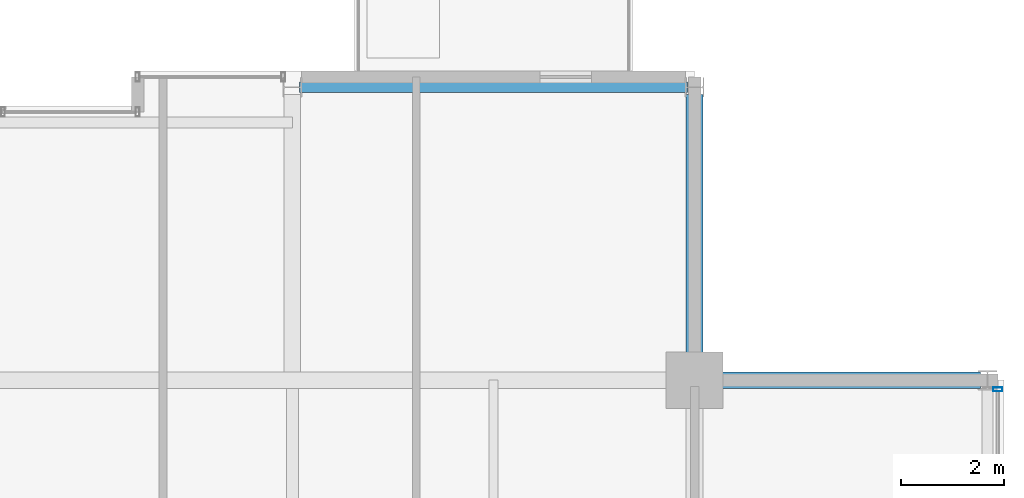
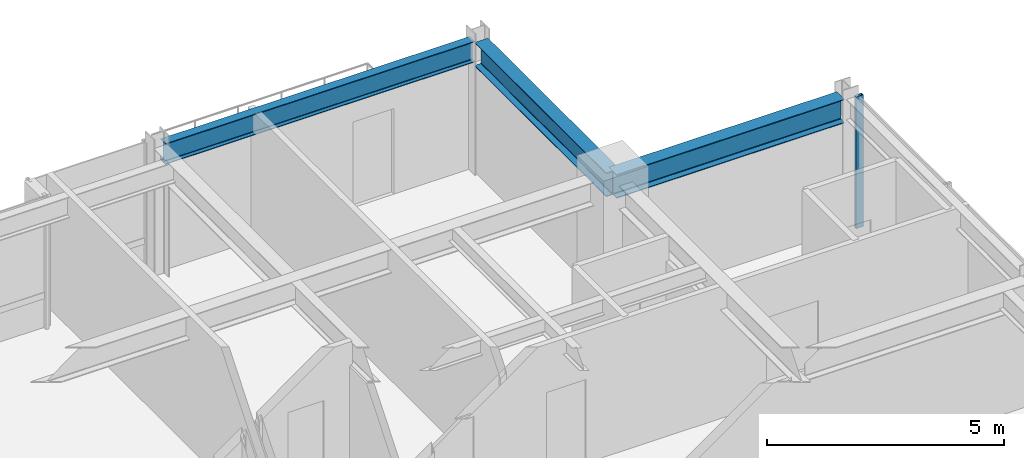
# One storey, part 23 of 32: 3 beams, 1 member, 1 element without a shape of its own.
"""IFC4 building model written with IfcOpenShell, lengths in metres."""

from ifc_helpers import new_model, si_unit, direction, frame, origin, origin_2d, place, context, subcontext, project, spatial, hollow_rectangle, i_section, extrude, material, layer, layer_set, material_profile, profile_set, type_object, element, aggregate, save


model = new_model("IFC4")

# Units and contexts
model_context = context("Model", 3, precision=1e-05, world=origin(), true_north=direction((0.0, 1.0)))
body_context = subcontext(model_context, "Body", "Model", "MODEL_VIEW")
ifc_project = project(units=[si_unit("LENGTHUNIT", "METRE"), si_unit("AREAUNIT", "SQUARE_METRE"), si_unit("VOLUMEUNIT", "CUBIC_METRE"), si_unit("PLANEANGLEUNIT", "RADIAN"), si_unit("MASSUNIT", "GRAM", prefix="KILO")], contexts=[model_context])

# Site, building, storey
site_placement = place(None, origin())
site = spatial("IfcSite", under=ifc_project, at=site_placement, CompositionType="ELEMENT")
building_placement = place(site_placement, origin())
building = spatial("IfcBuilding", under=site, at=building_placement, Name="Drelvath Grand Hotel", CompositionType="ELEMENT")
storey_placement = place(building_placement, frame((0.0, 0.0, 265.0)))
storey = spatial("IfcBuildingStorey", under=building, at=storey_placement, Name="L69", CompositionType="ELEMENT", Elevation=265.0)

# Curtain wall, member
ifc_material_1 = material(Name="Platinum-Mist Anodised Aluminium Frame", Category="aluminium")
ifc_layer = layer(ifc_material_1, 0.199951171875)
ifc_layer_set = layer_set([ifc_layer], Name="Platinum-Mist Anodised Aluminium Frame")
curtain_wall_type = type_object("IfcCurtainWallType", Name="Stick Curtain Wall CW-05 Platinum Mist High-Rise", PredefinedType="NOTDEFINED", material=ifc_layer_set)
curtain_wall_placement = place(storey_placement, origin())
curtain_wall = element("IfcCurtainWall", 1, at=curtain_wall_placement, inside=storey, type_object=curtain_wall_type, Name="L69 CW-05 Curtain Wall CW05-L69-EN2", PredefinedType="NOTDEFINED")
ifc_material_profile_1 = material_profile(ifc_material_1, hollow_rectangle(XDim=0.074951171875, YDim=0.179931640625, WallThickness=0.0048828125, at=origin_2d()), Name="HSS180X75X5")
ifc_profile_set_1 = profile_set([ifc_material_profile_1], Name="Platinum-Mist Anodised Aluminium Frame")
member_type = type_object("IfcMemberType", Name="Curtain Wall Vertical Mullion CW-05 HSS180X75X5", PredefinedType="MULLION", material=ifc_profile_set_1)
member_placement = place(storey_placement, frame((22.080078125, 43.021728515625, 0.0), z_axis=(0.0, 0.0, 1.0), x_axis=(0.0, 1.0, 0.0)))
member = element("IfcMember", 2, at=member_placement, type_object=member_type, Name="CW05-L69-EN2 Mullion 1", PredefinedType="MULLION", context=body_context, shape_type="SweptSolid", body=[
    extrude(hollow_rectangle(XDim=0.074951171875, YDim=0.179931640625, WallThickness=0.0048828125, at=origin_2d()), origin(), (0.0, 0.0, 1.0), 3.389892578125),
])
aggregate(curtain_wall, [member])

# Beams
ifc_material_2 = material(Name="Steel ASTM A992 Gr 50", Category="steel")
ifc_material_profile_2 = material_profile(ifc_material_2, i_section(OverallWidth=0.210205078125, OverallDepth=0.53662109375, WebThickness=0.010986328125, FlangeThickness=0.017333984375, FilletRadius=0.01806640625, at=origin_2d()), Name="W21X68")
ifc_profile_set_2 = profile_set([ifc_material_profile_2], Name="Steel ASTM A992 Gr 50")
beam_type_1 = type_object("IfcBeamType", Name="Perimeter Spandrel Beam W21X68", PredefinedType="SPANDREL", material=ifc_profile_set_2)
beam_placement = place(storey_placement, frame((8.5400390625, 48.8798828125, 3.12158203125), z_axis=(1.0, 0.0, 0.0), x_axis=(0.0, 1.0, 0.0)))
element("IfcBeam", 3, at=beam_placement, inside=storey, type_object=beam_type_1, Name="L69 Spandrel North E", PredefinedType="SPANDREL", context=body_context, shape_type="SweptSolid", body=[
    extrude(i_section(OverallWidth=0.210205078125, OverallDepth=0.53662109375, WebThickness=0.010986328125, FlangeThickness=0.017333984375, FilletRadius=0.01806640625, at=origin_2d()), origin(), (0.0, 0.0, 1.0), 7.52001953125),
])
ifc_material_profile_3 = material_profile(ifc_material_2, i_section(OverallWidth=0.323974609375, OverallDepth=0.611083984375, WebThickness=0.0126953125, FlangeThickness=0.01904296875, FilletRadius=0.02197265625, at=origin_2d()), Name="W24X104")
ifc_profile_set_3 = profile_set([ifc_material_profile_3], Name="Steel ASTM A992 Gr 50")
beam_type_2 = type_object("IfcBeamType", Name="Primary Floor Girder W24X104", PredefinedType="BEAM", material=ifc_profile_set_3)
for number, where, z_axis, x_axis, name in (
    (4, (16.199951171875, 43.199951171875, 3.08447265625), (1.0, 0.0, 0.0), (0.0, 1.0, 0.0), "L69 East Grid Girder G"),
    (5, (16.199951171875, 43.199951171875, 3.08447265625), (0.0, 1.0, 0.0), (-1.0, 0.0, 0.0), "L69 North Grid Girder 7"),
):
    element("IfcBeam", number, at=place(storey_placement, frame(where, z_axis=z_axis, x_axis=x_axis)), inside=storey, type_object=beam_type_2, Name=name, PredefinedType="BEAM", context=body_context, shape_type="SweptSolid", body=[
        extrude(i_section(OverallWidth=0.323974609375, OverallDepth=0.611083984375, WebThickness=0.0126953125, FlangeThickness=0.01904296875, FilletRadius=0.02197265625, at=origin_2d()), origin(), (0.0, 0.0, 1.0), 5.5400390625),
    ])

save(model, "model.ifc")
